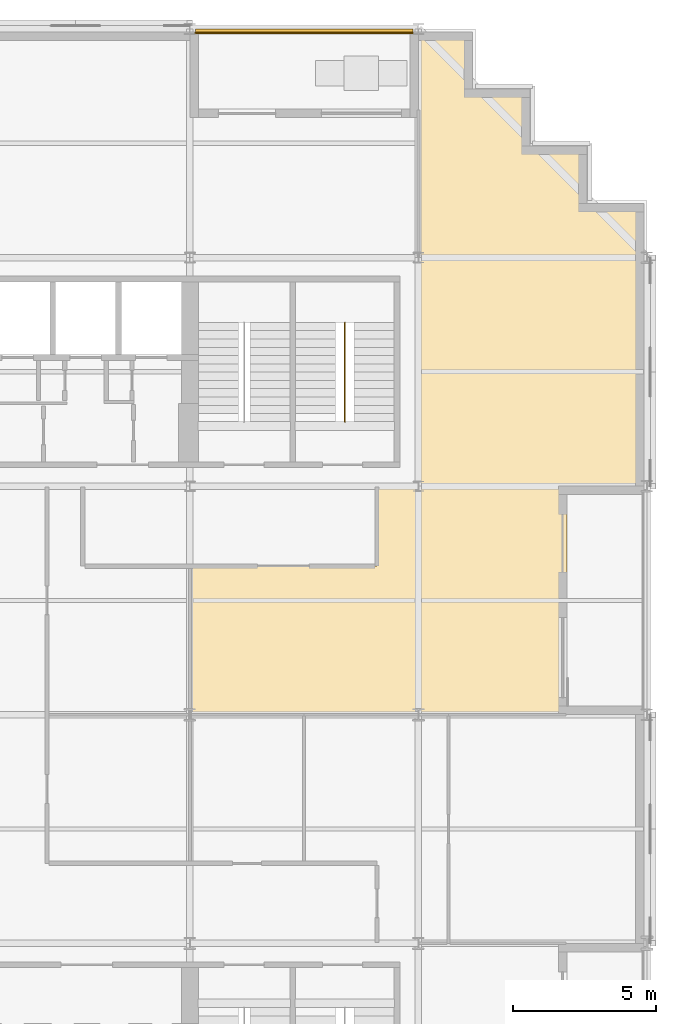
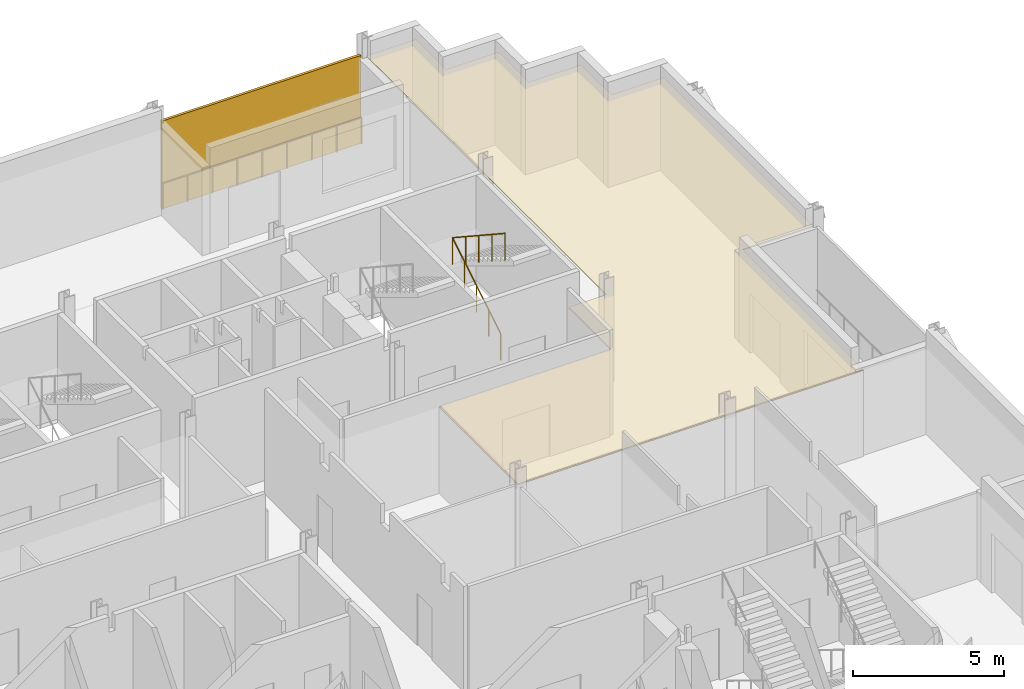
# One storey, part 14 of 15: 2 railings, 1 covering, 1 shading device.
"""IFC4 building model written with IfcOpenShell, lengths in metres."""

from ifc_helpers import new_model, si_unit, direction, frame, origin, origin_2d, place, context, subcontext, project, spatial, polyline, rectangle, circle, outline, extrude, material, layer, layer_set, type_object, element, save


model = new_model("IFC4")

# Units and contexts
model_context = context("Model", 3, precision=1e-05, world=origin(), true_north=direction((0.0, 1.0)))
body_context = subcontext(model_context, "Body", "Model", "MODEL_VIEW")
ifc_project = project(units=[si_unit("LENGTHUNIT", "METRE"), si_unit("AREAUNIT", "SQUARE_METRE"), si_unit("VOLUMEUNIT", "CUBIC_METRE"), si_unit("PLANEANGLEUNIT", "RADIAN"), si_unit("MASSUNIT", "GRAM", prefix="KILO")], contexts=[model_context])

# Site, building, storey
site_placement = place(None, origin())
site = spatial("IfcSite", under=ifc_project, at=site_placement, CompositionType="ELEMENT")
building_placement = place(site_placement, origin())
building = spatial("IfcBuilding", under=site, at=building_placement, Name="Immortelle Media Tower", CompositionType="ELEMENT")
storey_placement = place(building_placement, frame((0.0, 0.0, 78.800048828125)))
storey = spatial("IfcBuildingStorey", under=building, at=storey_placement, Name="L14", CompositionType="ELEMENT", Elevation=78.800048828125)

# Railing
ifc_material_1 = material(Name="Powder-coated aluminium fretwork panel, laminated glass backing", Category="aluminium")
railing_type_1 = type_object("IfcRailingType", Name="Fretwork balustrade 1100", PredefinedType="BALUSTRADE", material=ifc_material_1)
railing_1_placement = place(storey_placement, frame((39.802978515625, 47.860107421875, 0.0)))
element("IfcRailing", 1, at=railing_1_placement, inside=storey, type_object=railing_type_1, Name="Fretwork balustrade L14 N0", PredefinedType="BALUSTRADE", context=body_context, shape_type="SweptSolid", body=[
    extrude(circle(Radius=0.02490234375, at=origin_2d()), frame((0.0, 0.0, 1.0751953125), z_axis=(-1.0, 0.0, 0.0), x_axis=(0.0, -1.0, 0.0)), (0.0, 0.0, 1.0), 7.6025390625),
    extrude(circle(Radius=0.02001953125, at=origin_2d()), origin(), (0.0, 0.0, 1.0), 1.050048828125),
    extrude(circle(Radius=0.02001953125, at=origin_2d()), frame((-0.9501953125, 0.0, 0.0)), (0.0, 0.0, 1.0), 1.050048828125),
    extrude(circle(Radius=0.02001953125, at=origin_2d()), frame((-1.900634765625, 0.0, 0.0)), (0.0, 0.0, 1.0), 1.050048828125),
    extrude(circle(Radius=0.02001953125, at=origin_2d()), frame((-2.85107421875, 0.0, 0.0)), (0.0, 0.0, 1.0), 1.050048828125),
    extrude(circle(Radius=0.02001953125, at=origin_2d()), frame((-3.80126953125, 0.0, 0.0)), (0.0, 0.0, 1.0), 1.050048828125),
    extrude(circle(Radius=0.02001953125, at=origin_2d()), frame((-4.75146484375, 0.0, 0.0)), (0.0, 0.0, 1.0), 1.050048828125),
    extrude(circle(Radius=0.02001953125, at=origin_2d()), frame((-5.701904296875, 0.0, 0.0)), (0.0, 0.0, 1.0), 1.050048828125),
    extrude(circle(Radius=0.02001953125, at=origin_2d()), frame((-6.65234375, 0.0, 0.0)), (0.0, 0.0, 1.0), 1.050048828125),
    extrude(circle(Radius=0.02001953125, at=origin_2d()), frame((-7.6025390625, 0.0, 0.0)), (0.0, 0.0, 1.0), 1.050048828125),
])

# Shading device
ifc_material_2 = material(Name="Pale aluminium louvre blades", Category="aluminium")
ifc_layer_1 = layer(ifc_material_2, 0.10009765625)
ifc_layer_set_1 = layer_set([ifc_layer_1], Name="Pale aluminium louvre blades")
shading_device_type = type_object("IfcShadingDeviceType", Name="Jalousie screen 100", PredefinedType="JALOUSIE", material=ifc_layer_set_1)
shading_device_placement = place(storey_placement, frame((36.001708984375, 47.949951171875, 0.0), z_axis=(0.0, 0.0, 1.0), x_axis=(-1.0, 0.0, 0.0)))
element("IfcShadingDevice", 2, at=shading_device_placement, inside=storey, type_object=shading_device_type, Name="Jalousie screen L14 N0", PredefinedType="JALOUSIE", context=body_context, shape_type="SweptSolid", body=[
    extrude(rectangle(XDim=7.6025390625, YDim=0.10009765625, at=origin_2d()), origin(), (0.0, 0.0, 1.0), 3.556884765625),
])

# Railing
ifc_material_3 = material(Name="Stainless steel AISI 316", Category="steel")
railing_type_2 = type_object("IfcRailingType", Name="Stair guard 1100", PredefinedType="GUARDRAIL", material=ifc_material_3)
railing_2_placement = place(storey_placement, frame((37.425048828125, 34.5400390625, 0.176025390625)))
element("IfcRailing", 3, at=railing_2_placement, inside=storey, type_object=railing_type_2, Name="Stair guard NE2", PredefinedType="GUARDRAIL", context=body_context, shape_type="SweptSolid", body=[
    extrude(circle(Radius=0.02392578125, at=origin_2d()), frame((0.0, 0.0, 1.076171875), z_axis=(0.0, 0.854872504309, 0.518838126371), x_axis=(-1.0, 0.0, 0.0)), (0.0, 0.0, 1.0), 3.7314453125),
    extrude(circle(Radius=0.02392578125, at=origin_2d()), frame((0.0, 3.18994140625, 3.01220703125), z_axis=(0.0, -0.835595538677, 0.549345151743), x_axis=(1.0, 0.0, 0.0)), (0.0, 0.0, 1.0), 4.16455078125),
    extrude(circle(Radius=0.02099609375, at=origin_2d()), origin(), (0.0, 0.0, 1.0), 1.052001953125),
    extrude(circle(Radius=0.02099609375, at=origin_2d()), frame((0.0, 0.79736328125, 0.48388671875)), (0.0, 0.0, 1.0), 1.052001953125),
    extrude(circle(Radius=0.02099609375, at=origin_2d()), frame((0.0, 1.594970703125, 0.968017578125)), (0.0, 0.0, 1.0), 1.052001953125),
    extrude(circle(Radius=0.02099609375, at=origin_2d()), frame((0.0, 2.392578125, 1.4521484375)), (0.0, 0.0, 1.0), 1.052001953125),
    extrude(circle(Radius=0.02099609375, at=origin_2d()), frame((0.0, 3.18994140625, 1.93603515625)), (0.0, 0.0, 1.0), 1.052001953125),
    extrude(circle(Radius=0.02099609375, at=origin_2d()), frame((0.0, 2.31982421875, 2.508056640625)), (0.0, 0.0, 1.0), 1.052001953125),
    extrude(circle(Radius=0.02099609375, at=origin_2d()), frame((0.0, 1.449951171875, 3.080078125)), (0.0, 0.0, 1.0), 1.052001953125),
    extrude(circle(Radius=0.02099609375, at=origin_2d()), frame((0.0, 0.580078125, 3.65185546875)), (0.0, 0.0, 1.0), 1.052001953125),
    extrude(circle(Radius=0.02099609375, at=origin_2d()), frame((0.0, -0.2900390625, 4.223876953125)), (0.0, 0.0, 1.0), 1.052001953125),
])

# Covering
ifc_material_4 = material(Name="Mineral fibre tile ceiling")
ifc_layer_2 = layer(ifc_material_4, 0.050048828125)
ifc_layer_set_2 = layer_set([ifc_layer_2], Name="Mineral fibre tile ceiling")
covering_type = type_object("IfcCoveringType", Name="Suspended ceiling 50", PredefinedType="CEILING", material=ifc_layer_set_2)
covering_placement = place(storey_placement, frame((0.0, 0.0, 3.419921875)))
element("IfcCovering", 4, at=covering_placement, inside=storey, type_object=covering_type, Name="Ceiling L14-019", PredefinedType="CEILING", context=body_context, shape_type="SweptSolid", body=[
    extrude(outline(polyline([(38.550048828125, 32.0), (40.0, 32.0), (40.0, 40.0), (40.0, 45.199951171875), (40.0, 47.89990234375), (41.89990234375, 47.89990234375), (41.89990234375, 45.89990234375), (43.89990234375, 45.89990234375), (43.89990234375, 43.89990234375), (45.89990234375, 43.89990234375), (45.89990234375, 41.89990234375), (47.89990234375, 41.89990234375), (47.89990234375, 40.0), (47.89990234375, 32.0), (45.199951171875, 32.0), (45.199951171875, 24.0), (40.0, 24.0), (32.0, 24.0), (32.0, 29.199951171875), (38.550048828125, 29.199951171875), (38.550048828125, 32.0)])), origin(), (0.0, 0.0, 1.0), 0.050048828125),
])

save(model, "model.ifc")
